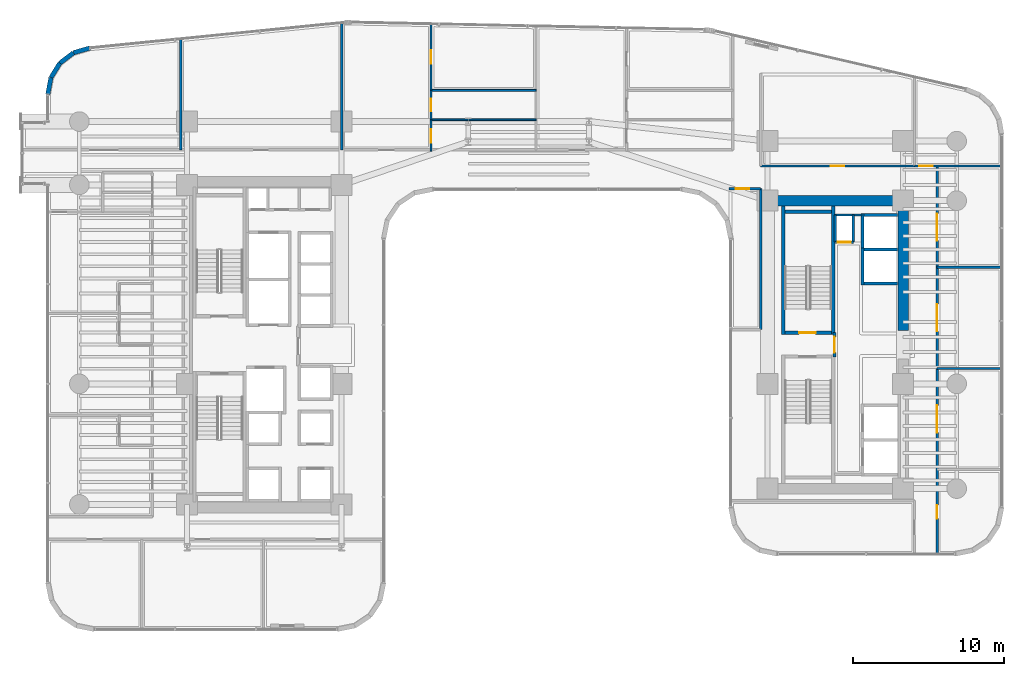
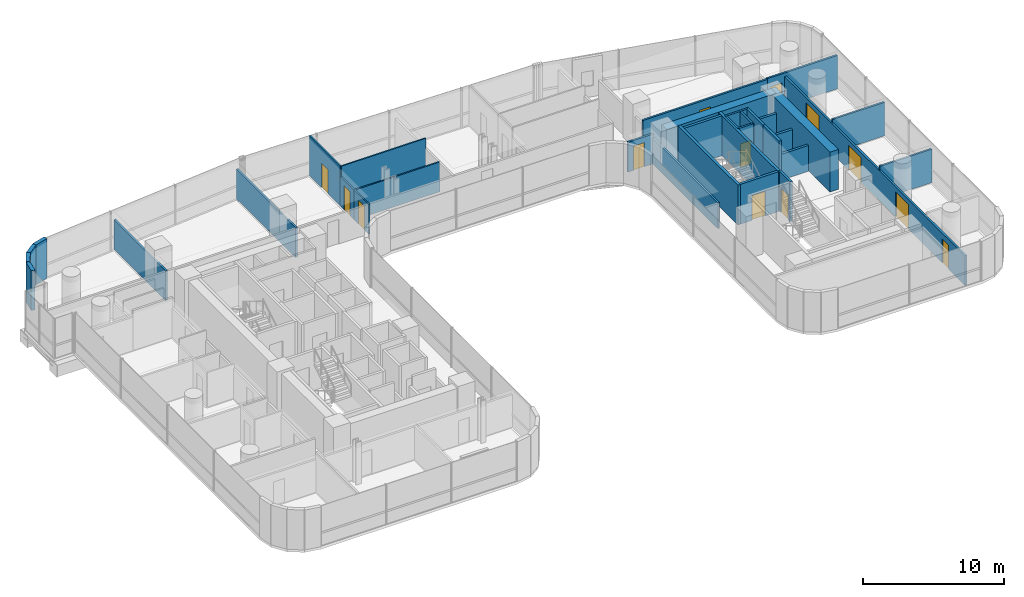
# One storey, part 34 of 41: 34 walls, 13 doors, 13 openings.
"""IFC4 building model written with IfcOpenShell, lengths in metres."""

from ifc_helpers import new_model, si_unit, direction, frame, frame_2d, origin, place, context, subcontext, project, spatial, rectangle, extrude, material, layer, layer_set, type_object, element, fill, save


model = new_model("IFC4")

# Units and contexts
model_context = context("Model", 3, precision=1e-05, world=origin(), true_north=direction((0.0, 1.0)))
body_context = subcontext(model_context, "Body", "Model", "MODEL_VIEW")
ifc_project = project(units=[si_unit("LENGTHUNIT", "METRE"), si_unit("AREAUNIT", "SQUARE_METRE"), si_unit("VOLUMEUNIT", "CUBIC_METRE"), si_unit("PLANEANGLEUNIT", "RADIAN"), si_unit("MASSUNIT", "GRAM", prefix="KILO")], contexts=[model_context])

# Site, building, storey
site_placement = place(None, origin())
site = spatial("IfcSite", under=ifc_project, at=site_placement, CompositionType="ELEMENT")
building_placement = place(site_placement, origin())
building = spatial("IfcBuilding", under=site, at=building_placement, Name="Valdorenza Pilgrim Sanctuary Tower", CompositionType="ELEMENT")
storey_placement = place(building_placement, frame((0.0, 0.0, 85.199951171875)))
storey = spatial("IfcBuildingStorey", under=building, at=storey_placement, Name="L21", CompositionType="ELEMENT", Elevation=85.199951171875)

# Wall, opening, door
ifc_material_1 = material(Name="Acoustic twin-stud gypsum partition", Category="gypsum")
ifc_layer_1 = layer(ifc_material_1, 0.159912109375, Name="Acoustic twin-stud gypsum partition")
ifc_layer_set_1 = layer_set([ifc_layer_1], Name="Acoustic twin-stud gypsum partition")
wall_type_1 = type_object("IfcWallType", Name="WAL-COR-160", PredefinedType="PARTITIONING", material=ifc_layer_set_1)
wall_1_placement = place(storey_placement, frame((20.35009765625, 6.800048828125, 0.0), z_axis=(0.0, 0.0, 1.0), x_axis=(1.0, 0.0, 0.0)))
wall_1 = element("IfcWall", 1, at=wall_1_placement, inside=storey, type_object=wall_type_1, Name="L21 Core B Riser South Wall", PredefinedType="PARTITIONING", context=body_context, shape_type="SweptSolid", body=[
    extrude(rectangle(XDim=1.199951171875, YDim=0.159912109375, at=frame_2d((0.60009765625, 0.0))), origin(), (0.0, 0.0, 1.0), 3.4599609375),
])
opening_1_placement = place(wall_1_placement, frame((0.175048828125, 0.0, 0.0)))
opening_1 = element("IfcOpeningElement", 2, at=opening_1_placement, cuts=wall_1, Name="Opening DR-RS1", PredefinedType="OPENING", context=body_context, shape_type="SweptSolid", body=[
    extrude(rectangle(XDim=0.85009765625, YDim=2.050048828125, at=frame_2d((0.425048828125, 1.02490234375))), frame((0.0, 0.0947265625, 0.0), z_axis=(0.0, -1.0, 0.0), x_axis=(1.0, 0.0, 0.0)), (0.0, 0.0, 1.0), 0.189697265625),
])
ifc_material_2 = material(Name="Painted galvanized steel", Category="steel")
door_type_1 = type_object("IfcDoorType", Name="DR-RSR-850", OperationType="NOTDEFINED", PredefinedType="DOOR", material=ifc_material_2)
door_1_placement = place(opening_1_placement, origin())
door_1 = element("IfcDoor", 3, at=door_1_placement, inside=storey, type_object=door_type_1, Name="L21 Core B Electrical Riser Door", OperationType="SINGLE_SWING_LEFT", OverallHeight=2.050048828125, OverallWidth=0.85009765625, PredefinedType="DOOR", context=body_context, shape_type="SweptSolid", body=[
    extrude(rectangle(XDim=0.85009765625, YDim=2.050048828125, at=frame_2d((0.425048828125, 1.02490234375))), frame((0.0, 0.02490234375, 0.0), z_axis=(0.0, -1.0, 0.0), x_axis=(1.0, 0.0, 0.0)), (0.0, 0.0, 1.0), 0.050048828125),
])
fill(opening_1, door_1)

# Walls
for number, where, z_axis, x_axis, name in (
    (4, (21.550048828125, 6.800048828125, 0.0), (0.0, 0.0, 1.0), (0.0, 1.0, 0.0), "L21 Core B Riser East Wall"),
    (5, (20.35009765625, 6.800048828125, 0.0), (0.0, 0.0, 1.0), (0.0, 1.0, 0.0), "L21 Core B Riser West Wall"),
):
    element("IfcWall", number, at=place(storey_placement, frame(where, z_axis=z_axis, x_axis=x_axis)), inside=storey, type_object=wall_type_1, Name=name, PredefinedType="PARTITIONING", context=body_context, shape_type="SweptSolid", body=[
        extrude(rectangle(XDim=1.800048828125, YDim=0.159912109375, at=frame_2d((0.89990234375, 0.0))), origin(), (0.0, 0.0, 1.0), 3.4599609375),
    ])
wall_2_placement = place(storey_placement, frame((20.300048828125, 8.60009765625, 0.0), z_axis=(0.0, 0.0, 1.0), x_axis=(1.0, 0.0, 0.0)))
element("IfcWall", 6, at=wall_2_placement, inside=storey, type_object=wall_type_1, Name="L21 Core B Lift Hall North End Wall", PredefinedType="PARTITIONING", context=body_context, shape_type="SweptSolid", body=[
    extrude(rectangle(XDim=1.820068359375, YDim=0.159912109375, at=frame_2d((0.91015625, 0.0))), origin(), (0.0, 0.0, 1.0), 3.4599609375),
])

# Wall, opening, door
wall_3_placement = place(storey_placement, frame((15.39990234375, 11.85009765625, 0.0), z_axis=(0.0, 0.0, 1.0), x_axis=(1.0, 0.0, 0.0)))
wall_3 = element("IfcWall", 7, at=wall_3_placement, inside=storey, type_object=wall_type_1, Name="L21 Wing B North Corridor Wall", PredefinedType="PARTITIONING", context=body_context, shape_type="SweptSolid", body=[
    extrude(rectangle(XDim=10.2001953125, YDim=0.159912109375, at=frame_2d((5.10009765625, 0.0))), origin(), (0.0, 0.0, 1.0), 2.833984375),
])
opening_2_placement = place(wall_3_placement, frame((4.64990234375, 0.0, 0.0)))
opening_2 = element("IfcOpeningElement", 8, at=opening_2_placement, cuts=wall_3, Name="Opening DR-RM1", PredefinedType="OPENING", context=body_context, shape_type="SweptSolid", body=[
    extrude(rectangle(XDim=0.89990234375, YDim=2.10009765625, at=frame_2d((0.449951171875, 1.050048828125))), frame((0.0, 0.0947265625, 0.0), z_axis=(0.0, -1.0, 0.0), x_axis=(1.0, 0.0, 0.0)), (0.0, 0.0, 1.0), 0.189697265625),
])
ifc_material_3 = material(Name="Solid-core European oak timber", Category="wood")
door_type_2 = type_object("IfcDoorType", Name="DR-ROOM-900", OperationType="NOTDEFINED", PredefinedType="DOOR", material=ifc_material_3)
door_2_placement = place(opening_2_placement, origin())
door_2 = element("IfcDoor", 9, at=door_2_placement, inside=storey, type_object=door_type_2, Name="L21 Curator Research Office L21-BN1 Door", OperationType="SINGLE_SWING_RIGHT", OverallHeight=2.10009765625, OverallWidth=0.89990234375, PredefinedType="DOOR", context=body_context, shape_type="SweptSolid", body=[
    extrude(rectangle(XDim=0.89990234375, YDim=2.10009765625, at=frame_2d((0.449951171875, 1.050048828125))), frame((0.0, 0.02490234375, 0.0), z_axis=(0.0, -1.0, 0.0), x_axis=(1.0, 0.0, 0.0)), (0.0, 0.0, 1.0), 0.050048828125),
])
fill(opening_2, door_2)

# Wall, openings, doors
wall_4_placement = place(storey_placement, frame((27.10009765625, -13.889892578125, 0.0), z_axis=(0.0, 0.0, 1.0), x_axis=(0.0, 1.0, 0.0)))
wall_4 = element("IfcWall", 10, at=wall_4_placement, inside=storey, type_object=wall_type_1, Name="L21 Wing B East Corridor Wall", PredefinedType="PARTITIONING", context=body_context, shape_type="SweptSolid", body=[
    extrude(rectangle(XDim=25.739990234375, YDim=0.159912109375, at=frame_2d((12.8701171875, 0.0))), origin(), (0.0, 0.0, 1.0), 2.5830078125),
])
opening_3_placement = place(wall_4_placement, frame((2.35107421875, 0.0, 0.0)))
opening_3 = element("IfcOpeningElement", 11, at=opening_3_placement, cuts=wall_4, Name="Opening DR-RM1", PredefinedType="OPENING", context=body_context, shape_type="SweptSolid", body=[
    extrude(rectangle(XDim=0.89990234375, YDim=2.10009765625, at=frame_2d((0.449951171875, 1.050048828125))), frame((0.0, 0.0947265625, 0.0), z_axis=(0.0, -1.0, 0.0), x_axis=(1.0, 0.0, 0.0)), (0.0, 0.0, 1.0), 0.189697265625),
])
opening_4_placement = place(wall_4_placement, frame((8.05908203125, 0.0, 0.0)))
opening_4 = element("IfcOpeningElement", 12, at=opening_4_placement, cuts=wall_4, Name="Opening DR-HL1", PredefinedType="OPENING", context=body_context, shape_type="SweptSolid", body=[
    extrude(rectangle(XDim=1.800048828125, YDim=2.14990234375, at=frame_2d((0.89990234375, 1.074951171875))), frame((0.0, 0.0947265625, 0.0), z_axis=(0.0, -1.0, 0.0), x_axis=(1.0, 0.0, 0.0)), (0.0, 0.0, 1.0), 0.189697265625),
])
opening_5_placement = place(wall_4_placement, frame((14.77099609375, 0.0, 0.0)))
opening_5 = element("IfcOpeningElement", 13, at=opening_5_placement, cuts=wall_4, Name="Opening DR-HL1", PredefinedType="OPENING", context=body_context, shape_type="SweptSolid", body=[
    extrude(rectangle(XDim=1.800048828125, YDim=2.14990234375, at=frame_2d((0.89990234375, 1.074951171875))), frame((0.0, 0.0947265625, 0.0), z_axis=(0.0, -1.0, 0.0), x_axis=(1.0, 0.0, 0.0)), (0.0, 0.0, 1.0), 0.189697265625),
])
opening_6_placement = place(wall_4_placement, frame((20.78759765625, 0.0, 0.0)))
opening_6 = element("IfcOpeningElement", 14, at=opening_6_placement, cuts=wall_4, Name="Opening DR-HL1", PredefinedType="OPENING", context=body_context, shape_type="SweptSolid", body=[
    extrude(rectangle(XDim=1.800048828125, YDim=2.14990234375, at=frame_2d((0.89990234375, 1.074951171875))), frame((0.0, 0.0947265625, 0.0), z_axis=(0.0, -1.0, 0.0), x_axis=(1.0, 0.0, 0.0)), (0.0, 0.0, 1.0), 0.189697265625),
])
ifc_material_4 = material(Name="Acoustic oak and vision-glass double door", Category="glass")
door_type_3 = type_object("IfcDoorType", Name="DR-HALL-1800", OperationType="NOTDEFINED", PredefinedType="DOOR", material=ifc_material_4)
door_3_placement = place(opening_4_placement, origin())
door_3 = element("IfcDoor", 15, at=door_3_placement, inside=storey, type_object=door_type_3, Name="L21 East Reading Lounge L21-EB2 Door", OperationType="DOUBLE_DOOR_SINGLE_SWING", OverallHeight=2.14990234375, OverallWidth=1.800048828125, PredefinedType="DOOR", context=body_context, shape_type="SweptSolid", body=[
    extrude(rectangle(XDim=1.800048828125, YDim=2.14990234375, at=frame_2d((0.89990234375, 1.074951171875))), frame((0.0, 0.02490234375, 0.0), z_axis=(0.0, -1.0, 0.0), x_axis=(1.0, 0.0, 0.0)), (0.0, 0.0, 1.0), 0.050048828125),
])
fill(opening_4, door_3)
door_4_placement = place(opening_5_placement, frame((1.800048828125, 0.0, 0.0), z_axis=(0.0, 0.0, 1.0), x_axis=(-1.0, 0.0, 0.0)))
door_4 = element("IfcDoor", 16, at=door_4_placement, inside=storey, type_object=door_type_3, Name="L21 East Reading Lounge L21-EB3 Door", OperationType="DOUBLE_DOOR_SINGLE_SWING", OverallHeight=2.14990234375, OverallWidth=1.800048828125, PredefinedType="DOOR", context=body_context, shape_type="SweptSolid", body=[
    extrude(rectangle(XDim=1.800048828125, YDim=2.14990234375, at=frame_2d((0.89990234375, 1.074951171875))), frame((0.0, 0.02490234375, 0.0), z_axis=(0.0, -1.0, 0.0), x_axis=(1.0, 0.0, 0.0)), (0.0, 0.0, 1.0), 0.050048828125),
])
fill(opening_5, door_4)
door_5_placement = place(opening_6_placement, origin())
door_5 = element("IfcDoor", 17, at=door_5_placement, inside=storey, type_object=door_type_3, Name="L21 East Reading Lounge L21-EB4 Door", OperationType="DOUBLE_DOOR_SINGLE_SWING", OverallHeight=2.14990234375, OverallWidth=1.800048828125, PredefinedType="DOOR", context=body_context, shape_type="SweptSolid", body=[
    extrude(rectangle(XDim=1.800048828125, YDim=2.14990234375, at=frame_2d((0.89990234375, 1.074951171875))), frame((0.0, 0.02490234375, 0.0), z_axis=(0.0, -1.0, 0.0), x_axis=(1.0, 0.0, 0.0)), (0.0, 0.0, 1.0), 0.050048828125),
])
fill(opening_6, door_5)
door_6_placement = place(opening_3_placement, frame((0.89990234375, 0.0, 0.0), z_axis=(0.0, 0.0, 1.0), x_axis=(-1.0, 0.0, 0.0)))
door_6 = element("IfcDoor", 18, at=door_6_placement, inside=storey, type_object=door_type_2, Name="L21 East Reading Lounge L21-EB1 Door", OperationType="SINGLE_SWING_LEFT", OverallHeight=2.10009765625, OverallWidth=0.89990234375, PredefinedType="DOOR", context=body_context, shape_type="SweptSolid", body=[
    extrude(rectangle(XDim=0.89990234375, YDim=2.10009765625, at=frame_2d((0.449951171875, 1.050048828125))), frame((0.0, 0.02490234375, 0.0), z_axis=(0.0, -1.0, 0.0), x_axis=(1.0, 0.0, 0.0)), (0.0, 0.0, 1.0), 0.050048828125),
])
fill(opening_3, door_6)

# Wall, opening, door
wall_5_placement = place(storey_placement, frame((25.60009765625, 11.85009765625, 0.0), z_axis=(0.0, 0.0, 1.0), x_axis=(1.0, 0.0, 0.0)))
wall_5 = element("IfcWall", 19, at=wall_5_placement, inside=storey, type_object=wall_type_1, Name="L21 East Wing NE Corner South Wall", PredefinedType="PARTITIONING", context=body_context, shape_type="SweptSolid", body=[
    extrude(rectangle(XDim=5.789794921875, YDim=0.159912109375, at=frame_2d((2.89501953125, 0.0))), origin(), (0.0, 0.0, 1.0), 2.89599609375),
])
opening_7_placement = place(wall_5_placement, frame((0.300048828125, 0.0, 0.0)))
opening_7 = element("IfcOpeningElement", 20, at=opening_7_placement, cuts=wall_5, Name="Opening DR-RM1", PredefinedType="OPENING", context=body_context, shape_type="SweptSolid", body=[
    extrude(rectangle(XDim=0.89990234375, YDim=2.10009765625, at=frame_2d((0.449951171875, 1.050048828125))), frame((0.0, 0.0947265625, 0.0), z_axis=(0.0, -1.0, 0.0), x_axis=(1.0, 0.0, 0.0)), (0.0, 0.0, 1.0), 0.189697265625),
])
door_7_placement = place(opening_7_placement, origin())
door_7 = element("IfcDoor", 21, at=door_7_placement, inside=storey, type_object=door_type_2, Name="L21 East North Alcove Office L21 Door", OperationType="SINGLE_SWING_RIGHT", OverallHeight=2.10009765625, OverallWidth=0.89990234375, PredefinedType="DOOR", context=body_context, shape_type="SweptSolid", body=[
    extrude(rectangle(XDim=0.89990234375, YDim=2.10009765625, at=frame_2d((0.449951171875, 1.050048828125))), frame((0.0, 0.02490234375, 0.0), z_axis=(0.0, -1.0, 0.0), x_axis=(1.0, 0.0, 0.0)), (0.0, 0.0, 1.0), 0.050048828125),
])
fill(opening_7, door_7)

wall_6_placement = place(storey_placement, frame((13.300048828125, 10.35009765625, 0.0), z_axis=(0.0, 0.0, 1.0), x_axis=(1.0, 0.0, 0.0)))
wall_6 = element("IfcWall", 22, at=wall_6_placement, inside=storey, type_object=wall_type_1, Name="L21 Courtyard Overlook North Wall", PredefinedType="PARTITIONING", context=body_context, shape_type="SweptSolid", body=[
    extrude(rectangle(XDim=2.099853515625, YDim=0.159912109375, at=frame_2d((1.0498046875, 0.0))), origin(), (0.0, 0.0, 1.0), 2.5830078125),
])
opening_8_placement = place(wall_6_placement, frame((0.449951171875, 0.0, 0.0)))
opening_8 = element("IfcOpeningElement", 23, at=opening_8_placement, cuts=wall_6, Name="Opening DR-RM1", PredefinedType="OPENING", context=body_context, shape_type="SweptSolid", body=[
    extrude(rectangle(XDim=0.89990234375, YDim=2.10009765625, at=frame_2d((0.449951171875, 1.050048828125))), frame((0.0, 0.0947265625, 0.0), z_axis=(0.0, -1.0, 0.0), x_axis=(1.0, 0.0, 0.0)), (0.0, 0.0, 1.0), 0.189697265625),
])
door_8_placement = place(opening_8_placement, origin())
door_8 = element("IfcDoor", 24, at=door_8_placement, inside=storey, type_object=door_type_2, Name="L21 Courtyard Overlook Salon Door", OperationType="SINGLE_SWING_LEFT", OverallHeight=2.10009765625, OverallWidth=0.89990234375, PredefinedType="DOOR", context=body_context, shape_type="SweptSolid", body=[
    extrude(rectangle(XDim=0.89990234375, YDim=2.10009765625, at=frame_2d((0.449951171875, 1.050048828125))), frame((0.0, 0.02490234375, 0.0), z_axis=(0.0, -1.0, 0.0), x_axis=(1.0, 0.0, 0.0)), (0.0, 0.0, 1.0), 0.050048828125),
])
fill(opening_8, door_8)

# Walls
wall_7_placement = place(storey_placement, frame((15.39990234375, 1.0, 0.0), z_axis=(0.0, 0.0, 1.0), x_axis=(0.0, 1.0, 0.0)))
element("IfcWall", 25, at=wall_7_placement, inside=storey, type_object=wall_type_1, Name="L21 Courtyard Overlook East Wall", PredefinedType="PARTITIONING", context=body_context, shape_type="SweptSolid", body=[
    extrude(rectangle(XDim=9.35009765625, YDim=0.159912109375, at=frame_2d((4.675048828125, 0.0))), origin(), (0.0, 0.0, 1.0), 2.2451171875),
])
ifc_material_5 = material(Name="Concrete C60/75", Category="concrete")
ifc_layer_2 = layer(ifc_material_5, 0.699951171875, Name="Concrete C60/75")
ifc_layer_set_2 = layer_set([ifc_layer_2], Name="Concrete C60/75")
wall_type_2 = type_object("IfcWallType", Name="WAL-COR-700", PredefinedType="SHEAR", material=ifc_layer_set_2)
wall_8_placement = place(storey_placement, frame((24.85009765625, 0.949951171875, 0.0), z_axis=(0.0, 0.0, 1.0), x_axis=(0.0, 1.0, 0.0)))
element("IfcWall", 26, at=wall_8_placement, inside=storey, type_object=wall_type_2, Name="L21 Split Core B Shear Wall EN", PredefinedType="SHEAR", context=body_context, shape_type="SweptSolid", body=[
    extrude(rectangle(XDim=8.949951171875, YDim=0.699951171875, at=frame_2d((4.47509765625, 0.0))), origin(), (0.0, 0.0, 1.0), 3.4599609375),
])
wall_9_placement = place(storey_placement, frame((15.85009765625, 9.550048828125, 0.0), z_axis=(0.0, 0.0, 1.0), x_axis=(1.0, 0.0, 0.0)))
element("IfcWall", 27, at=wall_9_placement, inside=storey, type_object=wall_type_2, Name="L21 Split Core B Shear Wall N", PredefinedType="SHEAR", context=body_context, shape_type="SweptSolid", body=[
    extrude(rectangle(XDim=9.0, YDim=0.699951171875, at=frame_2d((4.5, 0.0))), origin(), (0.0, 0.0, 1.0), 3.4599609375),
])
ifc_material_6 = material(Name="Honed travertine limestone", Category="masonry")
ifc_layer_3 = layer(ifc_material_6, 0.300048828125, Name="Honed travertine limestone")
ifc_layer_set_3 = layer_set([ifc_layer_3], Name="Honed travertine limestone")
wall_type_3 = type_object("IfcWallType", Name="WAL-EXT-300", PredefinedType="SOLIDWALL", material=ifc_layer_set_3)
wall_10_placement = place(storey_placement, frame((-31.889892578125, 16.593994140625, 0.0), z_axis=(0.0, 0.0, 1.0), x_axis=(0.182748995683, 0.9831596028, 0.0)))
element("IfcWall", 28, at=wall_10_placement, inside=storey, type_object=wall_type_3, Name="L21 Rounded Wind-Corner Stone Pier 2", PredefinedType="SOLIDWALL", context=body_context, shape_type="SweptSolid", body=[
    extrude(rectangle(XDim=1.1396484375, YDim=0.300048828125, at=frame_2d((0.56982421875, 0.0))), origin(), (0.0, 0.0, 1.0), 3.4599609375),
])
wall_11_placement = place(storey_placement, frame((-31.681640625, 17.71435546875, 0.0), z_axis=(0.0, 0.0, 1.0), x_axis=(0.524157723014, 0.8516212077, 0.0)))
element("IfcWall", 29, at=wall_11_placement, inside=storey, type_object=wall_type_3, Name="L21 Rounded Wind-Corner Stone Pier 3", PredefinedType="SOLIDWALL", context=body_context, shape_type="SweptSolid", body=[
    extrude(rectangle(XDim=1.12939453125, YDim=0.300048828125, at=frame_2d((0.564697265625, 0.0))), origin(), (0.0, 0.0, 1.0), 3.4599609375),
])
wall_12_placement = place(storey_placement, frame((-31.089599609375, 18.67626953125, 0.0), z_axis=(0.0, 0.0, 1.0), x_axis=(0.795253002434, 0.606277710393, 0.0)))
element("IfcWall", 30, at=wall_12_placement, inside=storey, type_object=wall_type_3, Name="L21 Rounded Wind-Corner Stone Pier 4", PredefinedType="SOLIDWALL", context=body_context, shape_type="SweptSolid", body=[
    extrude(rectangle(XDim=1.129150390625, YDim=0.300048828125, at=frame_2d((0.564453125, 0.0))), origin(), (0.0, 0.0, 1.0), 3.4599609375),
])
wall_13_placement = place(storey_placement, frame((-30.191650390625, 19.36083984375, 0.0), z_axis=(0.0, 0.0, 1.0), x_axis=(0.960071941549, 0.279753225271, 0.0)))
element("IfcWall", 31, at=wall_13_placement, inside=storey, type_object=wall_type_3, Name="L21 Rounded Wind-Corner Stone Pier 5", PredefinedType="SOLIDWALL", context=body_context, shape_type="SweptSolid", body=[
    extrude(rectangle(XDim=1.1396484375, YDim=0.300048828125, at=frame_2d((0.56982421875, 0.0))), origin(), (0.0, 0.0, 1.0), 3.4599609375),
])

# Wall, opening, door
ifc_material_7 = material(Name="Gypsum shaftwall partition", Category="gypsum")
ifc_layer_4 = layer(ifc_material_7, 0.199951171875, Name="Gypsum shaftwall partition")
ifc_layer_set_4 = layer_set([ifc_layer_4], Name="Gypsum shaftwall partition")
wall_type_4 = type_object("IfcWallType", Name="WAL-FFL-200", PredefinedType="PARTITIONING", material=ifc_layer_set_4)
wall_14_placement = place(storey_placement, frame((20.300048828125, -0.820068359375, 0.0), z_axis=(0.0, 0.0, 1.0), x_axis=(0.0, 1.0, 0.0)))
wall_14 = element("IfcWall", 32, at=wall_14_placement, inside=storey, type_object=wall_type_4, Name="L21 Core B Firefighting Lobby East Wall", PredefinedType="PARTITIONING", context=body_context, shape_type="SweptSolid", body=[
    extrude(rectangle(XDim=1.64013671875, YDim=0.199951171875, at=frame_2d((0.820068359375, 0.0))), origin(), (0.0, 0.0, 1.0), 3.4599609375),
])
opening_9_placement = place(wall_14_placement, frame((0.294921875, 0.0, 0.0)))
opening_9 = element("IfcOpeningElement", 33, at=opening_9_placement, cuts=wall_14, Name="Opening DR-FL1", PredefinedType="OPENING", context=body_context, shape_type="SweptSolid", body=[
    extrude(rectangle(XDim=1.050048828125, YDim=2.14990234375, at=frame_2d((0.52490234375, 1.074951171875))), frame((0.0, 0.11474609375, 0.0), z_axis=(0.0, -1.0, 0.0), x_axis=(1.0, 0.0, 0.0)), (0.0, 0.0, 1.0), 0.229736328125),
])
door_type_4 = type_object("IfcDoorType", Name="DR-FFL-1050", OperationType="NOTDEFINED", PredefinedType="DOOR", material=ifc_material_2)
door_9_placement = place(opening_9_placement, origin())
door_9 = element("IfcDoor", 34, at=door_9_placement, inside=storey, type_object=door_type_4, Name="L21 Core B Firefighting Lobby Door", OperationType="SINGLE_SWING_RIGHT", OverallHeight=2.14990234375, OverallWidth=1.050048828125, PredefinedType="DOOR", context=body_context, shape_type="SweptSolid", body=[
    extrude(rectangle(XDim=1.050048828125, YDim=2.14990234375, at=frame_2d((0.52490234375, 1.074951171875))), frame((0.0, 0.02490234375, 0.0), z_axis=(0.0, -1.0, 0.0), x_axis=(1.0, 0.0, 0.0)), (0.0, 0.0, 1.0), 0.050048828125),
])
fill(opening_9, door_9)

# Walls
ifc_material_8 = material(Name="Moisture-resistant gypsum partition", Category="gypsum")
ifc_layer_5 = layer(ifc_material_8, 0.1201171875, Name="Moisture-resistant gypsum partition")
ifc_layer_set_5 = layer_set([ifc_layer_5], Name="Moisture-resistant gypsum partition")
wall_type_5 = type_object("IfcWallType", Name="WAL-INT-120", PredefinedType="PARTITIONING", material=ifc_layer_set_5)
wall_15_placement = place(storey_placement, frame((-6.466064453125, 14.919921875, 0.0), z_axis=(0.0, 0.0, 1.0), x_axis=(1.0, 0.0, 0.0)))
element("IfcWall", 35, at=wall_15_placement, inside=storey, type_object=wall_type_5, Name="L21 North Sanctuary Apartment L21-N3 Bath-Kitchen Wall", PredefinedType="PARTITIONING", context=body_context, shape_type="SweptSolid", body=[
    extrude(rectangle(XDim=6.966064453125, YDim=0.1201171875, at=frame_2d((3.48291015625, 0.0))), origin(), (0.0, 0.0, 1.0), 2.5830078125),
])
wall_16_placement = place(storey_placement, frame((-6.466064453125, 16.8701171875, 0.0), z_axis=(0.0, 0.0, 1.0), x_axis=(1.0, 0.0, 0.0)))
element("IfcWall", 36, at=wall_16_placement, inside=storey, type_object=wall_type_5, Name="L21 North Sanctuary Apartment L21-N3 Kitchen-Bedroom Wall", PredefinedType="PARTITIONING", context=body_context, shape_type="SweptSolid", body=[
    extrude(rectangle(XDim=6.966064453125, YDim=0.1201171875, at=frame_2d((3.48291015625, 0.0))), origin(), (0.0, 0.0, 1.0), 3.4599609375),
])

# Wall, opening, door
wall_17_placement = place(storey_placement, frame((-6.466064453125, 14.919921875, 0.0), z_axis=(0.0, 0.0, 1.0), x_axis=(0.0, 1.0, 0.0)))
wall_17 = element("IfcWall", 37, at=wall_17_placement, inside=storey, type_object=wall_type_5, Name="L21 North Sanctuary Apartment L21-N3 Bathroom Door Wall", PredefinedType="PARTITIONING", context=body_context, shape_type="SweptSolid", body=[
    extrude(rectangle(XDim=1.9501953125, YDim=0.1201171875, at=frame_2d((0.97509765625, 0.0))), origin(), (0.0, 0.0, 1.0), 2.5830078125),
])
opening_10_placement = place(wall_17_placement, frame((0.550048828125, 0.0, 0.0)))
opening_10 = element("IfcOpeningElement", 38, at=opening_10_placement, cuts=wall_17, Name="Opening DR-WC1", PredefinedType="OPENING", context=body_context, shape_type="SweptSolid", body=[
    extrude(rectangle(XDim=0.85009765625, YDim=2.10009765625, at=frame_2d((0.425048828125, 1.050048828125))), frame((0.0, 0.074951171875, 0.0), z_axis=(0.0, -1.0, 0.0), x_axis=(1.0, 0.0, 0.0)), (0.0, 0.0, 1.0), 0.14990234375),
])
ifc_material_9 = material(Name="Moisture-resistant lacquered timber", Category="wood")
door_type_5 = type_object("IfcDoorType", Name="DR-BATH-850", OperationType="NOTDEFINED", PredefinedType="DOOR", material=ifc_material_9)
door_10_placement = place(opening_10_placement, origin())
door_10 = element("IfcDoor", 39, at=door_10_placement, inside=storey, type_object=door_type_5, Name="L21 North Sanctuary Apartment L21-N3 Bathroom Door", OperationType="SINGLE_SWING_LEFT", OverallHeight=2.10009765625, OverallWidth=0.85009765625, PredefinedType="DOOR", context=body_context, shape_type="SweptSolid", body=[
    extrude(rectangle(XDim=0.85009765625, YDim=2.10009765625, at=frame_2d((0.425048828125, 1.050048828125))), frame((0.0, 0.02490234375, 0.0), z_axis=(0.0, -1.0, 0.0), x_axis=(1.0, 0.0, 0.0)), (0.0, 0.0, 1.0), 0.050048828125),
])
fill(opening_10, door_10)

wall_18_placement = place(storey_placement, frame((-6.466064453125, 12.840087890625, 0.0), z_axis=(0.0, 0.0, 1.0), x_axis=(0.0, 1.0, 0.0)))
wall_18 = element("IfcWall", 40, at=wall_18_placement, inside=storey, type_object=wall_type_5, Name="L21 North Sanctuary Apartment L21-N3 Kitchen Door Wall", PredefinedType="PARTITIONING", context=body_context, shape_type="SweptSolid", body=[
    extrude(rectangle(XDim=2.079833984375, YDim=0.1201171875, at=frame_2d((1.0400390625, 0.0))), origin(), (0.0, 0.0, 1.0), 2.5830078125),
])
opening_11_placement = place(wall_18_placement, frame((0.550048828125, 0.0, 0.0)))
opening_11 = element("IfcOpeningElement", 41, at=opening_11_placement, cuts=wall_18, Name="Opening DR-RM1", PredefinedType="OPENING", context=body_context, shape_type="SweptSolid", body=[
    extrude(rectangle(XDim=0.89990234375, YDim=2.10009765625, at=frame_2d((0.449951171875, 1.050048828125))), frame((0.0, 0.074951171875, 0.0), z_axis=(0.0, -1.0, 0.0), x_axis=(1.0, 0.0, 0.0)), (0.0, 0.0, 1.0), 0.14990234375),
])
door_11_placement = place(opening_11_placement, origin())
door_11 = element("IfcDoor", 42, at=door_11_placement, inside=storey, type_object=door_type_2, Name="L21 North Sanctuary Apartment L21-N3 Kitchen Door", OperationType="SINGLE_SWING_RIGHT", OverallHeight=2.10009765625, OverallWidth=0.89990234375, PredefinedType="DOOR", context=body_context, shape_type="SweptSolid", body=[
    extrude(rectangle(XDim=0.89990234375, YDim=2.10009765625, at=frame_2d((0.449951171875, 1.050048828125))), frame((0.0, 0.02490234375, 0.0), z_axis=(0.0, -1.0, 0.0), x_axis=(1.0, 0.0, 0.0)), (0.0, 0.0, 1.0), 0.050048828125),
])
fill(opening_11, door_11)

wall_19_placement = place(storey_placement, frame((-6.466064453125, 16.8701171875, 0.0), z_axis=(0.0, 0.0, 1.0), x_axis=(0.0, 1.0, 0.0)))
wall_19 = element("IfcWall", 43, at=wall_19_placement, inside=storey, type_object=wall_type_5, Name="L21 North Sanctuary Apartment L21-N3 Bedroom Door Wall", PredefinedType="PARTITIONING", context=body_context, shape_type="SweptSolid", body=[
    extrude(rectangle(XDim=4.404541015625, YDim=0.1201171875, at=frame_2d((2.2021484375, 0.0))), origin(), (0.0, 0.0, 1.0), 3.4599609375),
])
opening_12_placement = place(wall_19_placement, frame((1.751953125, 0.0, 0.0)))
opening_12 = element("IfcOpeningElement", 44, at=opening_12_placement, cuts=wall_19, Name="Opening DR-RM1", PredefinedType="OPENING", context=body_context, shape_type="SweptSolid", body=[
    extrude(rectangle(XDim=0.89990234375, YDim=2.10009765625, at=frame_2d((0.449951171875, 1.050048828125))), frame((0.0, 0.074951171875, 0.0), z_axis=(0.0, -1.0, 0.0), x_axis=(1.0, 0.0, 0.0)), (0.0, 0.0, 1.0), 0.14990234375),
])
door_12_placement = place(opening_12_placement, frame((0.89990234375, 0.0, 0.0), z_axis=(0.0, 0.0, 1.0), x_axis=(-1.0, 0.0, 0.0)))
door_12 = element("IfcDoor", 45, at=door_12_placement, inside=storey, type_object=door_type_2, Name="L21 North Sanctuary Apartment L21-N3 Bedroom Door", OperationType="SINGLE_SWING_LEFT", OverallHeight=2.10009765625, OverallWidth=0.89990234375, PredefinedType="DOOR", context=body_context, shape_type="SweptSolid", body=[
    extrude(rectangle(XDim=0.89990234375, YDim=2.10009765625, at=frame_2d((0.449951171875, 1.050048828125))), frame((0.0, 0.02490234375, 0.0), z_axis=(0.0, -1.0, 0.0), x_axis=(1.0, 0.0, 0.0)), (0.0, 0.0, 1.0), 0.050048828125),
])
fill(opening_12, door_12)

# Walls
ifc_material_10 = material(Name="Autoclaved aerated concrete blockwork", Category="masonry")
ifc_layer_6 = layer(ifc_material_10, 0.199951171875, Name="Autoclaved aerated concrete blockwork")
ifc_layer_set_6 = layer_set([ifc_layer_6], Name="Autoclaved aerated concrete blockwork")
wall_type_6 = type_object("IfcWallType", Name="WAL-SHF-200", PredefinedType="MOVABLE", material=ifc_layer_set_6)
wall_20_placement = place(storey_placement, frame((22.14990234375, 3.949951171875, 0.0), z_axis=(0.0, 0.0, 1.0), x_axis=(0.0, 1.0, 0.0)))
element("IfcWall", 46, at=wall_20_placement, inside=storey, type_object=wall_type_6, Name="L21 Lift PL-07 Hoistway Wall West", PredefinedType="MOVABLE", context=body_context, shape_type="SweptSolid", body=[
    extrude(rectangle(XDim=2.47509765625, YDim=0.199951171875, at=frame_2d((1.237548828125, 0.0))), origin(), (0.0, 0.0, 1.0), 3.4599609375),
])
for number, where, z_axis, x_axis, name in (
    (47, (22.25, 4.050048828125, 0.0), (0.0, 0.0, 1.0), (1.0, 0.0, 0.0), "L21 Lift PL-07 Hoistway Wall South"),
    (48, (22.25, 6.324951171875, 0.0), (0.0, 0.0, 1.0), (1.0, 0.0, 0.0), "L21 Lift PL-07 Hoistway Wall North"),
):
    element("IfcWall", number, at=place(storey_placement, frame(where, z_axis=z_axis, x_axis=x_axis)), inside=storey, type_object=wall_type_6, Name=name, PredefinedType="MOVABLE", context=body_context, shape_type="SweptSolid", body=[
        extrude(rectangle(XDim=2.22998046875, YDim=0.199951171875, at=frame_2d((1.114990234375, 0.0))), origin(), (0.0, 0.0, 1.0), 2.2451171875),
    ])
wall_21_placement = place(storey_placement, frame((22.14990234375, 6.22509765625, 0.0), z_axis=(0.0, 0.0, 1.0), x_axis=(0.0, 1.0, 0.0)))
element("IfcWall", 49, at=wall_21_placement, inside=storey, type_object=wall_type_6, Name="L21 Lift PL-08 Hoistway Wall West", PredefinedType="MOVABLE", context=body_context, shape_type="SweptSolid", body=[
    extrude(rectangle(XDim=2.474853515625, YDim=0.199951171875, at=frame_2d((1.2373046875, 0.0))), origin(), (0.0, 0.0, 1.0), 3.4599609375),
])
wall_22_placement = place(storey_placement, frame((22.25, 8.60009765625, 0.0), z_axis=(0.0, 0.0, 1.0), x_axis=(1.0, 0.0, 0.0)))
element("IfcWall", 50, at=wall_22_placement, inside=storey, type_object=wall_type_6, Name="L21 Lift PL-08 Hoistway Wall North", PredefinedType="MOVABLE", context=body_context, shape_type="SweptSolid", body=[
    extrude(rectangle(XDim=2.22998046875, YDim=0.199951171875, at=frame_2d((1.114990234375, 0.0))), origin(), (0.0, 0.0, 1.0), 2.2451171875),
])
ifc_material_11 = material(Name="Concrete C40/50", Category="concrete")
ifc_layer_7 = layer(ifc_material_11, 0.219970703125, Name="Concrete C40/50")
ifc_layer_set_7 = layer_set([ifc_layer_7], Name="Concrete C40/50")
wall_type_7 = type_object("IfcWallType", Name="WAL-STR-SHF-220", PredefinedType="SHEAR", material=ifc_layer_set_7)
for number, where, z_axis, x_axis, name in (
    (51, (16.889892578125, 0.679931640625, 0.0), (0.0, 0.0, 1.0), (0.0, 1.0, 0.0), "L21 ST-B1 Structural Stairwell Wall W"),
    (52, (20.219970703125, 0.679931640625, 0.0), (0.0, 0.0, 1.0), (0.0, 1.0, 0.0), "L21 ST-B1 Structural Stairwell Wall E"),
):
    element("IfcWall", number, at=place(storey_placement, frame(where, z_axis=z_axis, x_axis=x_axis)), inside=storey, type_object=wall_type_7, Name=name, PredefinedType="SHEAR", context=body_context, shape_type="SweptSolid", body=[
        extrude(rectangle(XDim=8.52001953125, YDim=0.219970703125, at=frame_2d((4.260009765625, 0.0))), origin(), (0.0, 0.0, 1.0), 3.4599609375),
    ])

# Wall, opening, door
wall_23_placement = place(storey_placement, frame((17.0, 0.7900390625, 0.0), z_axis=(0.0, 0.0, 1.0), x_axis=(1.0, 0.0, 0.0)))
wall_23 = element("IfcWall", 53, at=wall_23_placement, inside=storey, type_object=wall_type_7, Name="L21 ST-B1 Structural Stairwell Wall S", PredefinedType="SHEAR", context=body_context, shape_type="SweptSolid", body=[
    extrude(rectangle(XDim=3.110107421875, YDim=0.219970703125, at=frame_2d((1.55517578125, 0.0))), origin(), (0.0, 0.0, 1.0), 3.4599609375),
])
opening_13_placement = place(wall_23_placement, frame((0.949951171875, 0.0, 0.0)))
opening_13 = element("IfcOpeningElement", 54, at=opening_13_placement, cuts=wall_23, Name="Opening DR-ST1", PredefinedType="OPENING", context=body_context, shape_type="SweptSolid", body=[
    extrude(rectangle(XDim=1.10009765625, YDim=2.14990234375, at=frame_2d((0.550048828125, 1.074951171875))), frame((0.0, 0.125, 0.0), z_axis=(0.0, -1.0, 0.0), x_axis=(1.0, 0.0, 0.0)), (0.0, 0.0, 1.0), 0.249755859375),
])
door_type_6 = type_object("IfcDoorType", Name="DR-STAIR-1100", OperationType="NOTDEFINED", PredefinedType="DOOR", material=ifc_material_2)
door_13_placement = place(opening_13_placement, frame((1.10009765625, 0.0, 0.0), z_axis=(0.0, 0.0, 1.0), x_axis=(-1.0, 0.0, 0.0)))
door_13 = element("IfcDoor", 55, at=door_13_placement, inside=storey, type_object=door_type_6, Name="L21 Exit Stair ST-B1 Door", OperationType="SINGLE_SWING_LEFT", OverallHeight=2.14990234375, OverallWidth=1.10009765625, PredefinedType="DOOR", context=body_context, shape_type="SweptSolid", body=[
    extrude(rectangle(XDim=1.10009765625, YDim=2.14990234375, at=frame_2d((0.550048828125, 1.074951171875))), frame((0.0, 0.02490234375, 0.0), z_axis=(0.0, -1.0, 0.0), x_axis=(1.0, 0.0, 0.0)), (0.0, 0.0, 1.0), 0.050048828125),
])
fill(opening_13, door_13)

# Walls
wall_24_placement = place(storey_placement, frame((17.0, 8.81005859375, 0.0), z_axis=(0.0, 0.0, 1.0), x_axis=(1.0, 0.0, 0.0)))
element("IfcWall", 56, at=wall_24_placement, inside=storey, type_object=wall_type_7, Name="L21 ST-B1 Structural Stairwell Wall N", PredefinedType="SHEAR", context=body_context, shape_type="SweptSolid", body=[
    extrude(rectangle(XDim=3.110107421875, YDim=0.219970703125, at=frame_2d((1.55517578125, 0.0))), origin(), (0.0, 0.0, 1.0), 3.4599609375),
])
ifc_layer_8 = layer(ifc_material_1, 0.14990234375, Name="Acoustic twin-stud gypsum partition")
ifc_layer_set_8 = layer_set([ifc_layer_8], Name="Acoustic twin-stud gypsum partition")
wall_type_8 = type_object("IfcWallType", Name="WAL-UNT-150", PredefinedType="PARTITIONING", material=ifc_layer_set_8)
wall_25_placement = place(storey_placement, frame((-12.39990234375, 12.919921875, 0.0), z_axis=(0.0, 0.0, 1.0), x_axis=(0.0, 1.0, 0.0)))
element("IfcWall", 57, at=wall_25_placement, inside=storey, type_object=wall_type_8, Name="L21 North Hybrid Split", PredefinedType="PARTITIONING", context=body_context, shape_type="SweptSolid", body=[
    extrude(rectangle(XDim=8.4296875, YDim=0.14990234375, at=frame_2d((4.21484375, 0.0))), origin(), (0.0, 0.0, 1.0), 2.5830078125),
])
wall_26_placement = place(storey_placement, frame((-23.070068359375, 12.919921875, 0.0), z_axis=(0.0, 0.0, 1.0), x_axis=(0.0, 1.0, 0.0)))
element("IfcWall", 58, at=wall_26_placement, inside=storey, type_object=wall_type_8, Name="L21 Sacred Manuscript Archive L21-N2 Demising Wall", PredefinedType="PARTITIONING", context=body_context, shape_type="SweptSolid", body=[
    extrude(rectangle(XDim=7.362548828125, YDim=0.14990234375, at=frame_2d((3.68115234375, 0.0))), origin(), (0.0, 0.0, 1.0), 2.5830078125),
])
for number, where, z_axis, x_axis, name in (
    (59, (27.10009765625, -1.574951171875, 0.0), (0.0, 0.0, 1.0), (1.0, 0.0, 0.0), "L21 East Reading Lounge L21-EB3 Demising Wall"),
    (60, (27.10009765625, 5.137451171875, 0.0), (0.0, 0.0, 1.0), (1.0, 0.0, 0.0), "L21 East Reading Lounge L21-EB4 Demising Wall"),
):
    element("IfcWall", number, at=place(storey_placement, frame(where, z_axis=z_axis, x_axis=x_axis)), inside=storey, type_object=wall_type_8, Name=name, PredefinedType="PARTITIONING", context=body_context, shape_type="SweptSolid", body=[
        extrude(rectangle(XDim=4.289794921875, YDim=0.14990234375, at=frame_2d((2.14501953125, 0.0))), origin(), (0.0, 0.0, 1.0), 2.89599609375),
    ])

save(model, "model.ifc")
